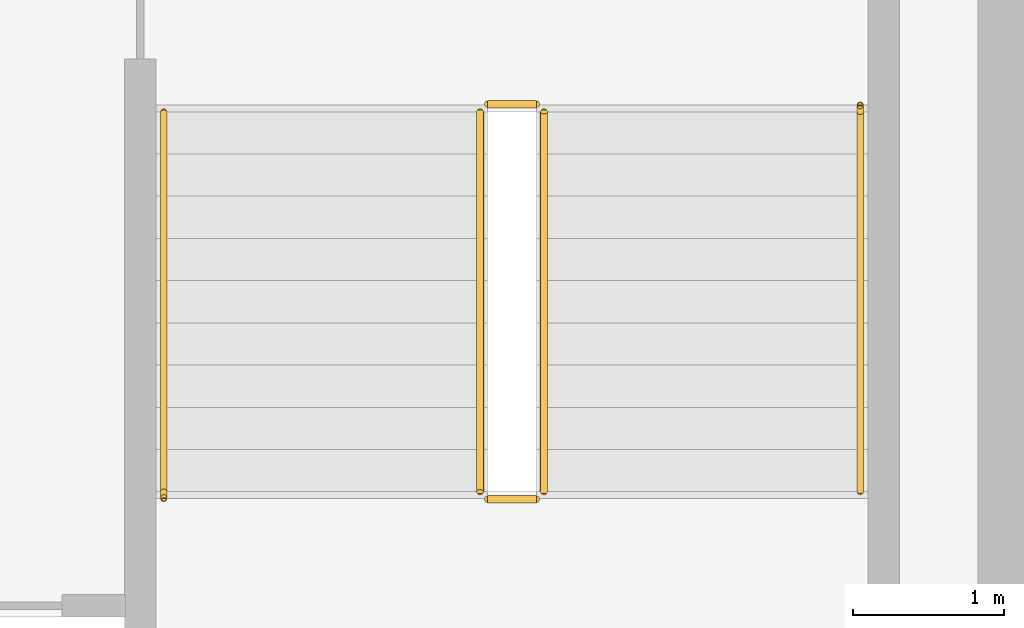
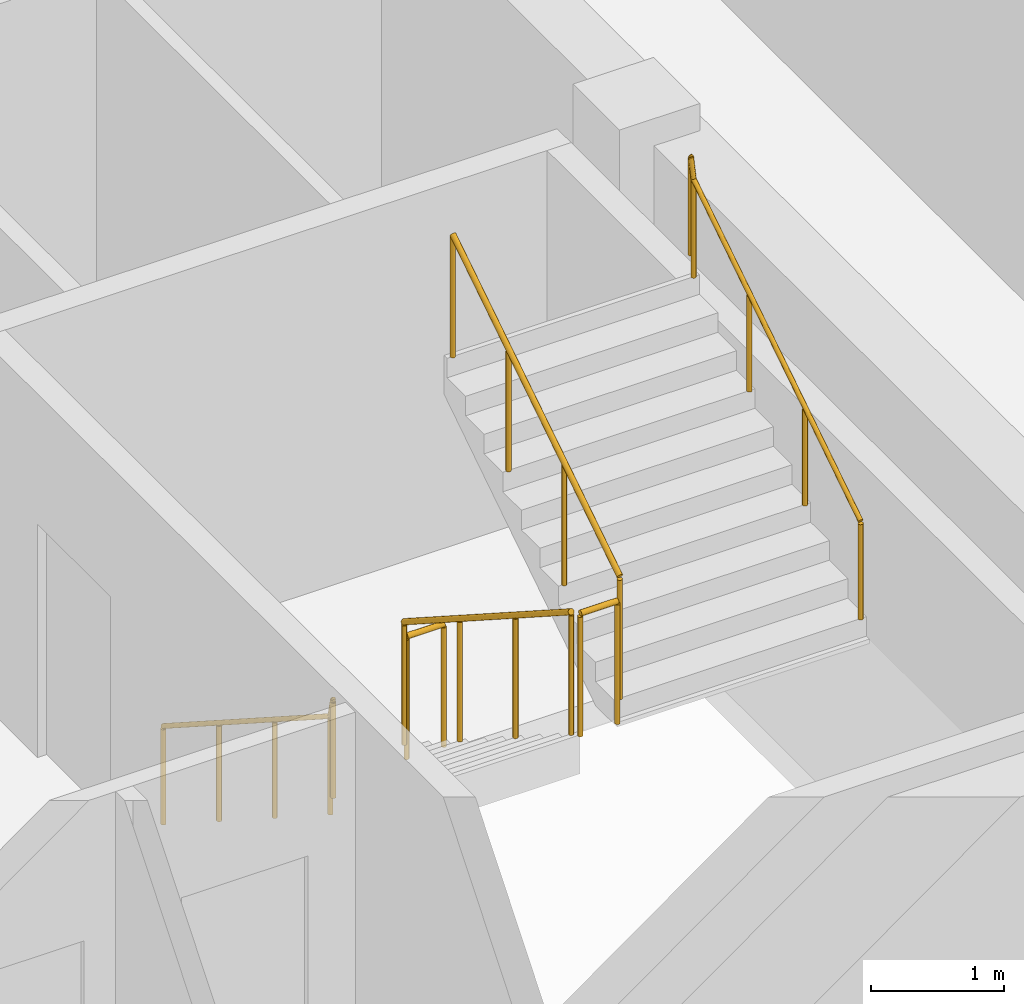
# One storey, part 7 of 7: 6 railings.
"""IFC4 building model written with IfcOpenShell, lengths in metres."""

from ifc_helpers import new_model, si_unit, direction, frame, origin, origin_2d, place, context, subcontext, project, spatial, circle, extrude, material, type_object, element, save


model = new_model("IFC4")

# Units and contexts
model_context = context("Model", 3, precision=1e-05, world=origin(), true_north=direction((0.0, 1.0)))
body_context = subcontext(model_context, "Body", "Model", "MODEL_VIEW")
ifc_project = project(units=[si_unit("LENGTHUNIT", "METRE"), si_unit("AREAUNIT", "SQUARE_METRE"), si_unit("VOLUMEUNIT", "CUBIC_METRE"), si_unit("PLANEANGLEUNIT", "RADIAN"), si_unit("MASSUNIT", "GRAM", prefix="KILO")], contexts=[model_context])

# Site, building, storey
site_placement = place(None, origin())
site = spatial("IfcSite", under=ifc_project, at=site_placement, CompositionType="ELEMENT")
building_placement = place(site_placement, origin())
building = spatial("IfcBuilding", under=site, at=building_placement, Name="Velakula Bourse", CompositionType="ELEMENT")
storey_placement = place(building_placement, frame((0.0, 0.0, 297.75)))
storey = spatial("IfcBuildingStorey", under=building, at=storey_placement, Name="L81", CompositionType="ELEMENT", Elevation=297.75)

# Railings
ifc_material = material(Name="Brushed grade 316 stainless steel", Category="steel")
railing_type_1 = type_object("IfcRailingType", Name="RLG-STAIR-GUARD-1150", PredefinedType="BALUSTRADE", material=ifc_material)
railing_1_placement = place(storey_placement, frame((15.248046875, -2.199951171875, 0.179931640625)))
element("IfcRailing", 1, at=railing_1_placement, inside=storey, type_object=railing_type_1, Name="L81 ST-E1 stair guard 1", PredefinedType="BALUSTRADE", context=body_context, shape_type="SweptSolid", body=[
    extrude(circle(Radius=0.02490234375, at=origin_2d()), frame((0.0, 0.0, 1.125), z_axis=(0.0, -0.841162588446, 0.540782303519), x_axis=(1.0, 0.0, 0.0)), (0.0, 0.0, 1.0), 2.995849609375),
    extrude(circle(Radius=0.02099609375, at=origin_2d()), origin(), (0.0, 0.0, 1.0), 1.099853515625),
    extrude(circle(Radius=0.02099609375, at=origin_2d()), frame((0.0, -0.840087890625, 0.5400390625)), (0.0, 0.0, 1.0), 1.099853515625),
    extrude(circle(Radius=0.02099609375, at=origin_2d()), frame((0.0, -1.679931640625, 1.080078125)), (0.0, 0.0, 1.0), 1.099853515625),
    extrude(circle(Radius=0.02099609375, at=origin_2d()), frame((0.0, -2.52001953125, 1.6201171875)), (0.0, 0.0, 1.0), 1.099853515625),
])
railing_2_placement = place(storey_placement, frame((15.298095703125, -4.77001953125, 1.800048828125)))
element("IfcRailing", 2, at=railing_2_placement, inside=storey, type_object=railing_type_1, Name="L81 ST-E1 stair guard 2", PredefinedType="BALUSTRADE", context=body_context, shape_type="SweptSolid", body=[
    extrude(circle(Radius=0.02490234375, at=origin_2d()), frame((0.0, 0.0, 1.125), z_axis=(1.0, 0.0, 0.0), x_axis=(0.0, 1.0, 0.0)), (0.0, 0.0, 1.0), 0.323974609375),
    extrude(circle(Radius=0.02099609375, at=origin_2d()), origin(), (0.0, 0.0, 1.0), 1.099853515625),
    extrude(circle(Radius=0.02099609375, at=origin_2d()), frame((0.323974609375, 0.0, 0.0)), (0.0, 0.0, 1.0), 1.099853515625),
])
railing_3_placement = place(storey_placement, frame((15.672119140625, -4.719970703125, 1.97998046875)))
element("IfcRailing", 3, at=railing_3_placement, inside=storey, type_object=railing_type_1, Name="L81 ST-E1 stair guard 3", PredefinedType="BALUSTRADE", context=body_context, shape_type="SweptSolid", body=[
    extrude(circle(Radius=0.02490234375, at=origin_2d()), frame((0.0, 0.0, 1.125), z_axis=(0.0, 0.841162588446, 0.540782303519), x_axis=(-1.0, 0.0, 0.0)), (0.0, 0.0, 1.0), 2.995849609375),
    extrude(circle(Radius=0.02099609375, at=origin_2d()), origin(), (0.0, 0.0, 1.0), 1.099853515625),
    extrude(circle(Radius=0.02099609375, at=origin_2d()), frame((0.0, 0.840087890625, 0.5400390625)), (0.0, 0.0, 1.0), 1.099853515625),
    extrude(circle(Radius=0.02099609375, at=origin_2d()), frame((0.0, 1.679931640625, 1.080078125)), (0.0, 0.0, 1.0), 1.099853515625),
    extrude(circle(Radius=0.02099609375, at=origin_2d()), frame((0.0, 2.52001953125, 1.6201171875)), (0.0, 0.0, 1.0), 1.099853515625),
])
railing_4_placement = place(storey_placement, frame((15.298095703125, -2.14990234375, 0.0)))
element("IfcRailing", 4, at=railing_4_placement, inside=storey, type_object=railing_type_1, Name="L81 ST-E1 stair guard 4", PredefinedType="BALUSTRADE", context=body_context, shape_type="SweptSolid", body=[
    extrude(circle(Radius=0.02490234375, at=origin_2d()), frame((0.0, 0.0, 1.125), z_axis=(1.0, 0.0, 0.0), x_axis=(0.0, 1.0, 0.0)), (0.0, 0.0, 1.0), 0.323974609375),
    extrude(circle(Radius=0.02099609375, at=origin_2d()), origin(), (0.0, 0.0, 1.0), 1.099853515625),
    extrude(circle(Radius=0.02099609375, at=origin_2d()), frame((0.323974609375, 0.0, 0.0)), (0.0, 0.0, 1.0), 1.099853515625),
])
railing_type_2 = type_object("IfcRailingType", Name="RLG-STAIR-HAND-920", PredefinedType="HANDRAIL", material=ifc_material)
railing_5_placement = place(storey_placement, frame((13.14990234375, -2.199951171875, 0.179931640625)))
element("IfcRailing", 5, at=railing_5_placement, inside=storey, type_object=railing_type_2, Name="L81 ST-E1 stair handrail 1", PredefinedType="HANDRAIL", context=body_context, shape_type="SweptSolid", body=[
    extrude(circle(Radius=0.02099609375, at=origin_2d()), frame((0.0, 0.0, 0.89892578125), z_axis=(0.0, -0.841162588446, 0.540782303519), x_axis=(1.0, 0.0, 0.0)), (0.0, 0.0, 1.0), 2.995849609375),
    extrude(circle(Radius=0.02099609375, at=origin_2d()), frame((0.0, -2.52001953125, 2.51904296875), z_axis=(0.0, -0.217210922078, 0.976124692511), x_axis=(1.0, 0.0, 0.0)), (0.0, 0.0, 1.0), 0.184326171875),
    extrude(circle(Radius=0.02099609375, at=origin_2d()), frame((0.0, -2.56005859375, 2.698974609375), z_axis=(0.0, -1.0, 0.0), x_axis=(1.0, 0.0, 0.0)), (0.0, 0.0, 1.0), 0.0048828125),
    extrude(circle(Radius=0.02099609375, at=origin_2d()), origin(), (0.0, 0.0, 1.0), 0.8779296875),
    extrude(circle(Radius=0.02099609375, at=origin_2d()), frame((0.0, -0.840087890625, 0.5400390625)), (0.0, 0.0, 1.0), 0.8779296875),
    extrude(circle(Radius=0.02099609375, at=origin_2d()), frame((0.0, -1.679931640625, 1.080078125)), (0.0, 0.0, 1.0), 0.8779296875),
    extrude(circle(Radius=0.02099609375, at=origin_2d()), frame((0.0, -2.52001953125, 1.6201171875)), (0.0, 0.0, 1.0), 0.8779296875),
    extrude(circle(Radius=0.02099609375, at=origin_2d()), frame((0.0, -2.56005859375, 1.800048828125)), (0.0, 0.0, 1.0), 0.8779296875),
    extrude(circle(Radius=0.02099609375, at=origin_2d()), frame((0.0, -2.56494140625, 1.800048828125)), (0.0, 0.0, 1.0), 0.8779296875),
])
railing_6_placement = place(storey_placement, frame((17.77001953125, -4.719970703125, 1.97998046875)))
element("IfcRailing", 6, at=railing_6_placement, inside=storey, type_object=railing_type_2, Name="L81 ST-E1 stair handrail 2", PredefinedType="HANDRAIL", context=body_context, shape_type="SweptSolid", body=[
    extrude(circle(Radius=0.02099609375, at=origin_2d()), frame((0.0, 0.0, 0.89892578125), z_axis=(0.0, 0.841162588446, 0.540782303519), x_axis=(-1.0, 0.0, 0.0)), (0.0, 0.0, 1.0), 2.995849609375),
    extrude(circle(Radius=0.02099609375, at=origin_2d()), frame((0.0, 2.52001953125, 2.51904296875), z_axis=(0.0, 0.217210922078, 0.976124692511), x_axis=(-1.0, 0.0, 0.0)), (0.0, 0.0, 1.0), 0.184326171875),
    extrude(circle(Radius=0.02099609375, at=origin_2d()), frame((0.0, 2.56005859375, 2.698974609375), z_axis=(0.0, 1.0, 0.0), x_axis=(-1.0, 0.0, 0.0)), (0.0, 0.0, 1.0), 0.0048828125),
    extrude(circle(Radius=0.02099609375, at=origin_2d()), origin(), (0.0, 0.0, 1.0), 0.8779296875),
    extrude(circle(Radius=0.02099609375, at=origin_2d()), frame((0.0, 0.840087890625, 0.5400390625)), (0.0, 0.0, 1.0), 0.8779296875),
    extrude(circle(Radius=0.02099609375, at=origin_2d()), frame((0.0, 1.679931640625, 1.080078125)), (0.0, 0.0, 1.0), 0.8779296875),
    extrude(circle(Radius=0.02099609375, at=origin_2d()), frame((0.0, 2.52001953125, 1.6201171875)), (0.0, 0.0, 1.0), 0.8779296875),
    extrude(circle(Radius=0.02099609375, at=origin_2d()), frame((0.0, 2.56005859375, 1.800048828125)), (0.0, 0.0, 1.0), 0.8779296875),
    extrude(circle(Radius=0.02099609375, at=origin_2d()), frame((0.0, 2.56494140625, 1.800048828125)), (0.0, 0.0, 1.0), 0.8779296875),
])

save(model, "model.ifc")
